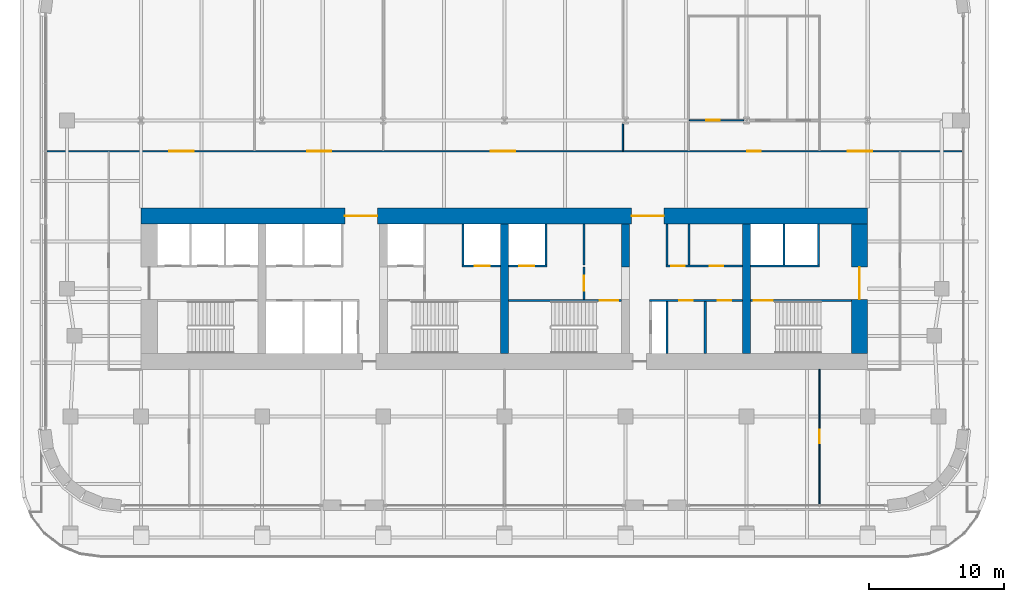
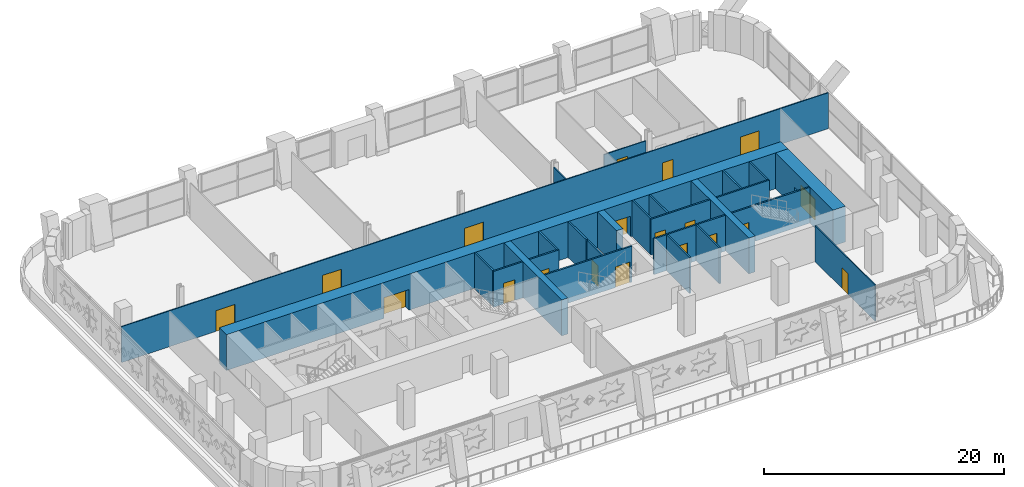
# One storey, part 16 of 26: 26 walls, 19 doors, 19 openings.
"""IFC4 building model written with IfcOpenShell, lengths in metres."""

import ifcopenshell
import ifcopenshell.guid

model = None  # the IFC model being written
_history = None  # IfcOwnerHistory: only IFC2X3 demands one
_inside = {}  # id of a spatial element -> (the spatial element, [elements in it])
_under = {}  # id of a project, library or spatial element -> (it, [spatial elements below it])
_declared = {}  # id of a project -> (the project, [libraries it declares])
_typed = {}  # id of a type object -> (the type object, [elements of that type])
_made_of = {}  # id of a material, layer set ... -> (it, [elements and type objects made of it])


def new_model(schema):
    """Start an empty IFC model of exactly this schema.

    Asked for "IFC4X3", IfcOpenShell would pick the latest addendum, in which some entities
    have other attributes; the version numbers below select the first issue.
    IFC2X3 requires an IfcOwnerHistory on every rooted entity: one is made here for all.
    """
    global model, _history
    if schema == "IFC4X3":
        model = ifcopenshell.file(schema_version=(4, 3, 0, 0))
    else:
        model = ifcopenshell.file(schema=schema)
    _inside.clear()
    _under.clear()
    _declared.clear()
    _typed.clear()
    _made_of.clear()
    _history = None
    if model.schema == "IFC2X3":
        org = make("IfcOrganization", Name="unknown")
        user = make(
            "IfcPersonAndOrganization",
            ThePerson=make("IfcPerson", FamilyName="unknown"),
            TheOrganization=org,
        )
        app = make(
            "IfcApplication",
            ApplicationDeveloper=org,
            Version="unknown",
            ApplicationFullName="unknown",
            ApplicationIdentifier="unknown",
        )
        _history = make(
            "IfcOwnerHistory",
            OwningUser=user,
            OwningApplication=app,
            ChangeAction="ADDED",
            CreationDate=0,
        )
    return model


def make(cls, **values):
    """One entity of the class cls with the attributes given. An attribute that is None is left unset."""
    return model.create_entity(
        cls, **{name: value for name, value in values.items() if value is not None}
    )


def rooted(cls, **values):
    """An entity with a GlobalId (a new one), such as an element, a storey or a relation."""
    return make(cls, GlobalId=ifcopenshell.guid.new(), OwnerHistory=_history, **values)


def si_unit(unit_type, name, prefix=None):
    """IfcSIUnit, for example si_unit("LENGTHUNIT", "METRE", prefix="MILLI")."""
    return make("IfcSIUnit", UnitType=unit_type, Prefix=prefix, Name=name)


def assignment(units):
    """IfcUnitAssignment: the units of a project."""
    return None if units is None else make("IfcUnitAssignment", Units=units)


def point(xyz):
    """IfcCartesianPoint."""
    return None if xyz is None else make("IfcCartesianPoint", Coordinates=xyz)


def direction(xyz):
    """IfcDirection."""
    return None if xyz is None else make("IfcDirection", DirectionRatios=xyz)


def frame(location, z_axis=None, x_axis=None):
    """IfcAxis2Placement3D, a coordinate frame: its origin and axes. An axis left out is left unset."""
    return make(
        "IfcAxis2Placement3D",
        Location=point(location),
        Axis=direction(z_axis),
        RefDirection=direction(x_axis),
    )


def frame_2d(location, x_axis=None):
    """IfcAxis2Placement2D, a coordinate frame in the plane: its origin and x axis."""
    return make(
        "IfcAxis2Placement2D", Location=point(location), RefDirection=direction(x_axis)
    )


def origin():
    """The frame at (0, 0, 0) with its axes left unset."""
    return frame((0.0, 0.0, 0.0))


def place(relative_to, where):
    """IfcLocalPlacement: puts the frame where relative to a parent placement (None: the world)."""
    return make(
        "IfcLocalPlacement", PlacementRelTo=relative_to, RelativePlacement=where
    )


def context(
    kind, dimensions, precision=None, world=None, true_north=None, identifier=None
):
    """IfcGeometricRepresentationContext, for example the 3D "Model" context."""
    return make(
        "IfcGeometricRepresentationContext",
        ContextIdentifier=identifier,
        ContextType=kind,
        CoordinateSpaceDimension=dimensions,
        Precision=precision,
        WorldCoordinateSystem=world,
        TrueNorth=true_north,
    )


def subcontext(parent, identifier, kind, view, scale=None):
    """IfcGeometricRepresentationSubContext, for example "Body" below "Model"."""
    return make(
        "IfcGeometricRepresentationSubContext",
        ContextIdentifier=identifier,
        ContextType=kind,
        ParentContext=parent,
        TargetScale=scale,
        TargetView=view,
    )


def project(units=None, contexts=None):
    """IfcProject with its units and contexts."""
    return rooted(
        "IfcProject",
        Name="project",
        RepresentationContexts=contexts,
        UnitsInContext=assignment(units),
    )


def spatial(cls, under=None, at=None, **own):
    """A site, building, storey or space (cls), placed at a placement, below another one or the project."""
    s = rooted(cls, ObjectPlacement=at, **own)
    if under is not None:
        _under.setdefault(under.id(), (under, []))[1].append(s)
    return s


def profile(cls, at=None, kind="AREA", **sizes):
    """A parametric profile (cls). Its sizes go by their IFC names, for example OverallWidth=200.0."""
    return make(cls, ProfileType=kind, Position=at, **sizes)


def rectangle(**sizes):
    """IfcRectangleProfileDef."""
    return profile("IfcRectangleProfileDef", **sizes)


def extrude(swept, where, along, depth):
    """IfcExtrudedAreaSolid: the profile swept, set in the frame where, extruded along a direction by depth."""
    return make(
        "IfcExtrudedAreaSolid",
        SweptArea=swept,
        Position=where,
        ExtrudedDirection=direction(along),
        Depth=depth,
    )


def shape(context_of_items, identifier, shape_type, items):
    """IfcShapeRepresentation: the items that make up one representation, for example the "Body"."""
    return make(
        "IfcShapeRepresentation",
        ContextOfItems=context_of_items,
        RepresentationIdentifier=identifier,
        RepresentationType=shape_type,
        Items=items,
    )


def material(Name=None, Category=None):
    """IfcMaterial."""
    return make("IfcMaterial", Name=Name, Category=Category)


def layer(
    of_material, thickness, ventilated=None, Name=None, Category=None, Priority=None
):
    """IfcMaterialLayer: one layer of a wall or slab, of a material (None: an air gap)."""
    return make(
        "IfcMaterialLayer",
        Material=of_material,
        LayerThickness=thickness,
        IsVentilated=ventilated,
        Name=Name,
        Category=Category,
        Priority=Priority,
    )


def layer_set(layers, Name=None):
    """IfcMaterialLayerSet."""
    return make("IfcMaterialLayerSet", MaterialLayers=layers, LayerSetName=Name)


def made_of(thing, what):
    """Note that an element or type object is made of a material, layer set ...; save() writes the relation."""
    if what is not None:
        _made_of.setdefault(what.id(), (what, []))[1].append(thing)
    return thing


def type_object(cls, material=None, **own):
    """A type object (cls), such as IfcWallType, which elements share."""
    return made_of(rooted(cls, **own), material)


def element(
    cls,
    number,
    at=None,
    inside=None,
    cuts=None,
    type_object=None,
    material=None,
    context=None,
    identifier="Body",
    shape_type=None,
    held_by="IfcProductDefinitionShape",
    body=None,
    shapes=None,
    **own,
):
    """One element of the class cls, such as IfcWall. Its Tag is "e" and its number.

    at: its placement. inside: the storey or other place that contains it. cuts: it is an
    opening in that element (IfcRelVoidsElement). A single representation is given by context,
    identifier, shape_type and body (its items); several are given by shapes. held_by: the class
    of the entity that holds the representations. save() writes the other relations.
    """
    e = rooted(cls, Tag="e%d" % number, ObjectPlacement=at, **own)
    if body is not None:
        shapes = [shape(context, identifier, shape_type, body)]
    if shapes is not None:
        e.Representation = make(held_by, Representations=shapes)
    if inside is not None:
        _inside.setdefault(inside.id(), (inside, []))[1].append(e)
    if cuts is not None:
        rooted(
            "IfcRelVoidsElement", RelatingBuildingElement=cuts, RelatedOpeningElement=e
        )
    if type_object is not None:
        _typed.setdefault(type_object.id(), (type_object, []))[1].append(e)
    return made_of(e, material)


def fill(opening, filler):
    """IfcRelFillsElement: the door or window that sits in an opening."""
    return rooted(
        "IfcRelFillsElement",
        RelatingOpeningElement=opening,
        RelatedBuildingElement=filler,
    )


def aggregate(whole, parts):
    """IfcRelAggregates: a whole, such as a stair, and the parts it consists of."""
    return rooted("IfcRelAggregates", RelatingObject=whole, RelatedObjects=parts)


def save(model, path):
    """Write the relations noted so far, then the file.

    IfcRelAggregates (storeys below a building ...), IfcRelContainedInSpatialStructure (elements
    in a storey), IfcRelDefinesByType, IfcRelAssociatesMaterial and IfcRelDeclares: one each for
    every whole, place, type object, material and project.
    """
    for whole, parts in _under.values():
        aggregate(whole, parts)
    for where, things in _inside.values():
        rooted(
            "IfcRelContainedInSpatialStructure",
            RelatedElements=things,
            RelatingStructure=where,
        )
    for kind, things in _typed.values():
        rooted("IfcRelDefinesByType", RelatedObjects=things, RelatingType=kind)
    for what, things in _made_of.values():
        rooted("IfcRelAssociatesMaterial", RelatedObjects=things, RelatingMaterial=what)
    for by, libraries in _declared.values():
        rooted("IfcRelDeclares", RelatingContext=by, RelatedDefinitions=libraries)
    model.write(path)


model = new_model("IFC4")

# Units and contexts
model_context = context("Model", 3, precision=1e-05, world=origin(), true_north=direction((0.0, 1.0)))
body_context = subcontext(model_context, "Body", "Model", "MODEL_VIEW")
ifc_project = project(units=[si_unit("LENGTHUNIT", "METRE"), si_unit("AREAUNIT", "SQUARE_METRE"), si_unit("VOLUMEUNIT", "CUBIC_METRE"), si_unit("PLANEANGLEUNIT", "RADIAN"), si_unit("MASSUNIT", "GRAM", prefix="KILO")], contexts=[model_context])

# Site, building, storey
site_placement = place(None, origin())
site = spatial("IfcSite", under=ifc_project, at=site_placement, CompositionType="ELEMENT")
building_placement = place(site_placement, origin())
building = spatial("IfcBuilding", under=site, at=building_placement, Name="Zellij Exchange Tower", CompositionType="ELEMENT")
storey_placement = place(building_placement, frame((0.0, 0.0, 100.5)))
storey = spatial("IfcBuildingStorey", under=building, at=storey_placement, Name="L21", CompositionType="ELEMENT", Elevation=100.5)

# Walls
ifc_material_1 = material(Name="Concrete C70/85", Category="concrete")
ifc_layer_1 = layer(ifc_material_1, 0.60009765625)
ifc_layer_set_1 = layer_set([ifc_layer_1], Name="Concrete C70/85")
wall_type_1 = type_object("IfcWallType", Name="CORE-CW 600 C70/85", PredefinedType="SHEAR", material=ifc_layer_set_1)
wall_1_placement = place(storey_placement, frame((0.0, -12.800048828125, 0.0), z_axis=(0.0, 0.0, 1.0), x_axis=(0.0, 1.0, 0.0)))
element("IfcWall", 1, at=wall_1_placement, inside=storey, type_object=wall_type_1, Name="Core cross wall x 0 L21", PredefinedType="SHEAR", context=body_context, shape_type="SweptSolid", body=[
    extrude(rectangle(XDim=9.60009765625, YDim=0.60009765625, at=frame_2d((4.800048828125, 0.0))), origin(), (0.0, 0.0, 1.0), 3.64990234375),
])
wall_2_placement = place(storey_placement, frame((9.0, -6.375, 0.0), z_axis=(0.0, 0.0, 1.0), x_axis=(0.0, 1.0, 0.0)))
element("IfcWall", 2, at=wall_2_placement, inside=storey, type_object=wall_type_1, Name="Core cross wall pier x 9 b L21", PredefinedType="SHEAR", context=body_context, shape_type="SweptSolid", body=[
    extrude(rectangle(XDim=3.175048828125, YDim=0.60009765625, at=frame_2d((1.58740234375, 0.0))), origin(), (0.0, 0.0, 1.0), 3.64990234375),
])
wall_3_placement = place(storey_placement, frame((18.0, -12.800048828125, 0.0), z_axis=(0.0, 0.0, 1.0), x_axis=(0.0, 1.0, 0.0)))
element("IfcWall", 3, at=wall_3_placement, inside=storey, type_object=wall_type_1, Name="Core cross wall x 18 L21", PredefinedType="SHEAR", context=body_context, shape_type="SweptSolid", body=[
    extrude(rectangle(XDim=9.60009765625, YDim=0.60009765625, at=frame_2d((4.800048828125, 0.0))), origin(), (0.0, 0.0, 1.0), 3.64990234375),
])

# Wall, opening, door
ifc_material_2 = material(Name="Gypsum shaft wall system")
ifc_layer_2 = layer(ifc_material_2, 0.14990234375)
ifc_layer_set_2 = layer_set([ifc_layer_2], Name="Gypsum shaft wall system")
wall_type_2 = type_object("IfcWallType", Name="CORE-PW 150 Firefighting lobby wall", PredefinedType="PARTITIONING", material=ifc_layer_set_2)
wall_4_placement = place(storey_placement, frame((5.925048828125, -8.800048828125, 0.0), z_axis=(0.0, 0.0, 1.0), x_axis=(0.0, 1.0, 0.0)))
wall_4 = element("IfcWall", 4, at=wall_4_placement, inside=storey, type_object=wall_type_2, Name="Firefighting lobby wall L21", PredefinedType="PARTITIONING", context=body_context, shape_type="SweptSolid", body=[
    extrude(rectangle(XDim=2.425048828125, YDim=0.14990234375, at=frame_2d((1.21240234375, 0.0))), origin(), (0.0, 0.0, 1.0), 3.64990234375),
])
opening_1_placement = place(wall_4_placement, frame((0.662109375, 0.0, 0.0)))
opening_1 = element("IfcOpeningElement", 5, at=opening_1_placement, cuts=wall_4, Name="Opening CA-11.18", PredefinedType="OPENING", context=body_context, shape_type="SweptSolid", body=[
    extrude(rectangle(XDim=1.10009765625, YDim=2.10009765625, at=frame_2d((0.550048828125, 1.050048828125))), frame((0.0, 0.0869140625, 0.0), z_axis=(0.0, -1.0, 0.0), x_axis=(1.0, 0.0, 0.0)), (0.0, 0.0, 1.0), 0.173828125),
])
ifc_material_3 = material(Name="Hollow metal fire door")
door_type_1 = type_object("IfcDoorType", Name="CORE-D F Firefighting lobby door 1100x2100 1 HR", OperationType="NOTDEFINED", PredefinedType="DOOR", material=ifc_material_3)
door_1_placement = place(opening_1_placement, origin())
door_1 = element("IfcDoor", 6, at=door_1_placement, inside=storey, type_object=door_type_1, Name="Firefighting lobby door CA-11.18", OperationType="SINGLE_SWING_RIGHT", OverallHeight=2.10009765625, OverallWidth=1.10009765625, PredefinedType="DOOR", context=body_context, shape_type="SweptSolid", body=[
    extrude(rectangle(XDim=1.10009765625, YDim=2.10009765625, at=frame_2d((0.550048828125, 1.050048828125))), frame((0.0, 0.02490234375, 0.0), z_axis=(0.0, -1.0, 0.0), x_axis=(1.0, 0.0, 0.0)), (0.0, 0.0, 1.0), 0.050048828125),
])
fill(opening_1, door_1)

# Walls
ifc_material_4 = material(Name="Gypsum board partition")
ifc_layer_3 = layer(ifc_material_4, 0.14990234375)
ifc_layer_set_3 = layer_set([ifc_layer_3], Name="Gypsum board partition")
wall_type_3 = type_object("IfcWallType", Name="CORE-PW 150 Lift lobby wall", PredefinedType="PARTITIONING", material=ifc_layer_set_3)
for number, where, z_axis, x_axis, name in (
    (7, (5.925048828125, -6.22509765625, 0.0), (0.0, 0.0, 1.0), (0.0, 1.0, 0.0), "Lift lobby wall L21"),
    (8, (12.074951171875, -6.22509765625, 0.0), (0.0, 0.0, 1.0), (0.0, 1.0, 0.0), "Lift lobby wall L21"),
    (9, (13.72509765625, -6.22509765625, 0.0), (0.0, 0.0, 1.0), (0.0, 1.0, 0.0), "Lift lobby wall L21"),
):
    element("IfcWall", number, at=place(storey_placement, frame(where, z_axis=z_axis, x_axis=x_axis)), inside=storey, type_object=wall_type_3, Name=name, PredefinedType="PARTITIONING", context=body_context, shape_type="SweptSolid", body=[
        extrude(rectangle(XDim=3.025146484375, YDim=0.14990234375, at=frame_2d((1.5126953125, 0.0))), origin(), (0.0, 0.0, 1.0), 3.64990234375),
    ])
for number, where, z_axis, x_axis, name in (
    (10, (12.074951171875, -12.800048828125, 0.0), (0.0, 0.0, 1.0), (0.0, 1.0, 0.0), "Lift lobby wall L21"),
    (11, (14.925048828125, -12.800048828125, 0.0), (0.0, 0.0, 1.0), (0.0, 1.0, 0.0), "Lift lobby wall L21"),
):
    element("IfcWall", number, at=place(storey_placement, frame(where, z_axis=z_axis, x_axis=x_axis)), inside=storey, type_object=wall_type_3, Name=name, PredefinedType="PARTITIONING", context=body_context, shape_type="SweptSolid", body=[
        extrude(rectangle(XDim=3.85009765625, YDim=0.14990234375, at=frame_2d((1.925048828125, 0.0))), origin(), (0.0, 0.0, 1.0), 3.64990234375),
    ])

# Wall, openings, doors
wall_5_placement = place(storey_placement, frame((12.0, -6.300048828125, 0.0), z_axis=(0.0, 0.0, 1.0), x_axis=(1.0, 0.0, 0.0)))
wall_5 = element("IfcWall", 12, at=wall_5_placement, inside=storey, type_object=wall_type_3, Name="Lift lobby wall L21", PredefinedType="PARTITIONING", context=body_context, shape_type="SweptSolid", body=[
    extrude(rectangle(XDim=5.699951171875, YDim=0.14990234375, at=frame_2d((2.85009765625, 0.0))), origin(), (0.0, 0.0, 1.0), 3.64990234375),
])
opening_2_placement = place(wall_5_placement, frame((0.39990234375, 0.0, 0.0)))
opening_2 = element("IfcOpeningElement", 13, at=opening_2_placement, cuts=wall_5, Name="Opening CA-11.23", PredefinedType="OPENING", context=body_context, shape_type="SweptSolid", body=[
    extrude(rectangle(XDim=1.0, YDim=2.10009765625, at=frame_2d((0.5, 1.050048828125))), frame((0.0, 0.0869140625, 0.0), z_axis=(0.0, -1.0, 0.0), x_axis=(1.0, 0.0, 0.0)), (0.0, 0.0, 1.0), 0.173828125),
])
opening_3_placement = place(wall_5_placement, frame((3.25, 0.0, 0.0)))
opening_3 = element("IfcOpeningElement", 14, at=opening_3_placement, cuts=wall_5, Name="Opening CA-11.25", PredefinedType="OPENING", context=body_context, shape_type="SweptSolid", body=[
    extrude(rectangle(XDim=1.0, YDim=2.10009765625, at=frame_2d((0.5, 1.050048828125))), frame((0.0, 0.0869140625, 0.0), z_axis=(0.0, -1.0, 0.0), x_axis=(1.0, 0.0, 0.0)), (0.0, 0.0, 1.0), 0.173828125),
])
door_type_2 = type_object("IfcDoorType", Name="CORE-D CD Core room door 1000x2100 1 HR", OperationType="NOTDEFINED", PredefinedType="DOOR", material=ifc_material_3)
door_2_placement = place(opening_2_placement, origin())
door_2 = element("IfcDoor", 15, at=door_2_placement, inside=storey, type_object=door_type_2, Name="Core room door CA-11.23", OperationType="SINGLE_SWING_LEFT", OverallHeight=2.10009765625, OverallWidth=1.0, PredefinedType="DOOR", context=body_context, shape_type="SweptSolid", body=[
    extrude(rectangle(XDim=1.0, YDim=2.10009765625, at=frame_2d((0.5, 1.050048828125))), frame((0.0, 0.02490234375, 0.0), z_axis=(0.0, -1.0, 0.0), x_axis=(1.0, 0.0, 0.0)), (0.0, 0.0, 1.0), 0.050048828125),
])
fill(opening_2, door_2)
door_3_placement = place(opening_3_placement, origin())
door_3 = element("IfcDoor", 16, at=door_3_placement, inside=storey, type_object=door_type_2, Name="Core room door CA-11.25", OperationType="SINGLE_SWING_RIGHT", OverallHeight=2.10009765625, OverallWidth=1.0, PredefinedType="DOOR", context=body_context, shape_type="SweptSolid", body=[
    extrude(rectangle(XDim=1.0, YDim=2.10009765625, at=frame_2d((0.5, 1.050048828125))), frame((0.0, 0.02490234375, 0.0), z_axis=(0.0, -1.0, 0.0), x_axis=(1.0, 0.0, 0.0)), (0.0, 0.0, 1.0), 0.050048828125),
])
fill(opening_3, door_3)

wall_6_placement = place(storey_placement, frame((10.800048828125, -8.875, 0.0), z_axis=(0.0, 0.0, 1.0), x_axis=(1.0, 0.0, 0.0)))
wall_6 = element("IfcWall", 17, at=wall_6_placement, inside=storey, type_object=wall_type_3, Name="Lift lobby wall L21", PredefinedType="PARTITIONING", context=body_context, shape_type="SweptSolid", body=[
    extrude(rectangle(XDim=6.89990234375, YDim=0.14990234375, at=frame_2d((3.449951171875, 0.0))), origin(), (0.0, 0.0, 1.0), 3.64990234375),
])
opening_4_placement = place(wall_6_placement, frame((2.199951171875, 0.0, 0.0)))
opening_4 = element("IfcOpeningElement", 18, at=opening_4_placement, cuts=wall_6, Name="Opening CA-11.24", PredefinedType="OPENING", context=body_context, shape_type="SweptSolid", body=[
    extrude(rectangle(XDim=1.0, YDim=2.10009765625, at=frame_2d((0.5, 1.050048828125))), frame((0.0, 0.0869140625, 0.0), z_axis=(0.0, -1.0, 0.0), x_axis=(1.0, 0.0, 0.0)), (0.0, 0.0, 1.0), 0.173828125),
])
opening_5_placement = place(wall_6_placement, frame((5.050048828125, 0.0, 0.0)))
opening_5 = element("IfcOpeningElement", 19, at=opening_5_placement, cuts=wall_6, Name="Opening CA-11.26", PredefinedType="OPENING", context=body_context, shape_type="SweptSolid", body=[
    extrude(rectangle(XDim=1.0, YDim=2.10009765625, at=frame_2d((0.5, 1.050048828125))), frame((0.0, 0.0869140625, 0.0), z_axis=(0.0, -1.0, 0.0), x_axis=(1.0, 0.0, 0.0)), (0.0, 0.0, 1.0), 0.173828125),
])
door_4_placement = place(opening_5_placement, origin())
door_4 = element("IfcDoor", 20, at=door_4_placement, inside=storey, type_object=door_type_2, Name="Core room door CA-11.26", OperationType="SINGLE_SWING_LEFT", OverallHeight=2.10009765625, OverallWidth=1.0, PredefinedType="DOOR", context=body_context, shape_type="SweptSolid", body=[
    extrude(rectangle(XDim=1.0, YDim=2.10009765625, at=frame_2d((0.5, 1.050048828125))), frame((0.0, 0.02490234375, 0.0), z_axis=(0.0, -1.0, 0.0), x_axis=(1.0, 0.0, 0.0)), (0.0, 0.0, 1.0), 0.050048828125),
])
fill(opening_5, door_4)
door_type_3 = type_object("IfcDoorType", Name="CORE-D CDA Core room door 1000x2100 1.5 HR", OperationType="NOTDEFINED", PredefinedType="DOOR", material=ifc_material_3)
door_5_placement = place(opening_4_placement, origin())
door_5 = element("IfcDoor", 21, at=door_5_placement, inside=storey, type_object=door_type_3, Name="Core room door CA-11.24", OperationType="SINGLE_SWING_RIGHT", OverallHeight=2.10009765625, OverallWidth=1.0, PredefinedType="DOOR", context=body_context, shape_type="SweptSolid", body=[
    extrude(rectangle(XDim=1.0, YDim=2.10009765625, at=frame_2d((0.5, 1.050048828125))), frame((0.0, 0.02490234375, 0.0), z_axis=(0.0, -1.0, 0.0), x_axis=(1.0, 0.0, 0.0)), (0.0, 0.0, 1.0), 0.050048828125),
])
fill(opening_4, door_5)

# Walls
ifc_layer_4 = layer(ifc_material_2, 0.14990234375)
ifc_layer_set_4 = layer_set([ifc_layer_4], Name="Gypsum shaft wall system")
wall_type_4 = type_object("IfcWallType", Name="CORE-PW 150 Lift shaft wall", PredefinedType="PARTITIONING", material=ifc_layer_set_4)
for number, where, z_axis, x_axis, name in (
    (22, (-3.074951171875, -6.22509765625, 0.0), (0.0, 0.0, 1.0), (0.0, 1.0, 0.0), "Lift shaft wall L21"),
    (23, (3.074951171875, -6.22509765625, 0.0), (0.0, 0.0, 1.0), (0.0, 1.0, 0.0), "Lift shaft wall L21"),
    (24, (20.77490234375, -6.22509765625, 0.0), (0.0, 0.0, 1.0), (0.0, 1.0, 0.0), "Lift shaft wall L21"),
    (25, (23.324951171875, -6.22509765625, 0.0), (0.0, 0.0, 1.0), (0.0, 1.0, 0.0), "Lift shaft wall L21"),
):
    element("IfcWall", number, at=place(storey_placement, frame(where, z_axis=z_axis, x_axis=x_axis)), inside=storey, type_object=wall_type_4, Name=name, PredefinedType="PARTITIONING", context=body_context, shape_type="SweptSolid", body=[
        extrude(rectangle(XDim=3.025146484375, YDim=0.14990234375, at=frame_2d((1.5126953125, 0.0))), origin(), (0.0, 0.0, 1.0), 3.64990234375),
    ])

# Wall, opening, door
wall_7_placement = place(storey_placement, frame((-3.14990234375, -6.300048828125, 0.0), z_axis=(0.0, 0.0, 1.0), x_axis=(1.0, 0.0, 0.0)))
wall_7 = element("IfcWall", 26, at=wall_7_placement, inside=storey, type_object=wall_type_4, Name="Lift shaft wall L21", PredefinedType="PARTITIONING", context=body_context, shape_type="SweptSolid", body=[
    extrude(rectangle(XDim=2.849853515625, YDim=0.14990234375, at=frame_2d((1.4248046875, 0.0))), origin(), (0.0, 0.0, 1.0), 3.64990234375),
])
opening_6_placement = place(wall_7_placement, frame((0.949951171875, 0.0, 0.0)))
opening_6 = element("IfcOpeningElement", 27, at=opening_6_placement, cuts=wall_7, Name="Opening CA-11.16", PredefinedType="OPENING", context=body_context, shape_type="SweptSolid", body=[
    extrude(rectangle(XDim=1.10009765625, YDim=2.10009765625, at=frame_2d((0.550048828125, 1.050048828125))), frame((0.0, 0.0869140625, 0.0), z_axis=(0.0, -1.0, 0.0), x_axis=(1.0, 0.0, 0.0)), (0.0, 0.0, 1.0), 0.173828125),
])
door_type_4 = type_object("IfcDoorType", Name="CORE-D LD Lift landing door 1100x2100 1.5 HR", OperationType="NOTDEFINED", PredefinedType="DOOR", material=ifc_material_3)
door_6_placement = place(opening_6_placement, origin())
door_6 = element("IfcDoor", 28, at=door_6_placement, inside=storey, type_object=door_type_4, Name="Lift landing door CA-11.16", OperationType="SLIDING_TO_RIGHT", OverallHeight=2.10009765625, OverallWidth=1.10009765625, PredefinedType="DOOR", context=body_context, shape_type="SweptSolid", body=[
    extrude(rectangle(XDim=1.10009765625, YDim=2.10009765625, at=frame_2d((0.550048828125, 1.050048828125))), frame((0.0, 0.02490234375, 0.0), z_axis=(0.0, -1.0, 0.0), x_axis=(1.0, 0.0, 0.0)), (0.0, 0.0, 1.0), 0.050048828125),
])
fill(opening_6, door_6)

wall_8_placement = place(storey_placement, frame((0.300048828125, -6.300048828125, 0.0), z_axis=(0.0, 0.0, 1.0), x_axis=(1.0, 0.0, 0.0)))
wall_8 = element("IfcWall", 29, at=wall_8_placement, inside=storey, type_object=wall_type_4, Name="Lift shaft wall L21", PredefinedType="PARTITIONING", context=body_context, shape_type="SweptSolid", body=[
    extrude(rectangle(XDim=2.849853515625, YDim=0.14990234375, at=frame_2d((1.4248046875, 0.0))), origin(), (0.0, 0.0, 1.0), 3.64990234375),
])
opening_7_placement = place(wall_8_placement, frame((0.800048828125, 0.0, 0.0)))
opening_7 = element("IfcOpeningElement", 30, at=opening_7_placement, cuts=wall_8, Name="Opening CA-11.17", PredefinedType="OPENING", context=body_context, shape_type="SweptSolid", body=[
    extrude(rectangle(XDim=1.10009765625, YDim=2.10009765625, at=frame_2d((0.550048828125, 1.050048828125))), frame((0.0, 0.0869140625, 0.0), z_axis=(0.0, -1.0, 0.0), x_axis=(1.0, 0.0, 0.0)), (0.0, 0.0, 1.0), 0.173828125),
])
door_7_placement = place(opening_7_placement, origin())
door_7 = element("IfcDoor", 31, at=door_7_placement, inside=storey, type_object=door_type_4, Name="Lift landing door CA-11.17", OperationType="SLIDING_TO_LEFT", OverallHeight=2.10009765625, OverallWidth=1.10009765625, PredefinedType="DOOR", context=body_context, shape_type="SweptSolid", body=[
    extrude(rectangle(XDim=1.10009765625, YDim=2.10009765625, at=frame_2d((0.550048828125, 1.050048828125))), frame((0.0, 0.02490234375, 0.0), z_axis=(0.0, -1.0, 0.0), x_axis=(1.0, 0.0, 0.0)), (0.0, 0.0, 1.0), 0.050048828125),
])
fill(opening_7, door_7)

# Wall
wall_9_placement = place(storey_placement, frame((18.300048828125, -6.300048828125, 0.0), z_axis=(0.0, 0.0, 1.0), x_axis=(1.0, 0.0, 0.0)))
element("IfcWall", 32, at=wall_9_placement, inside=storey, type_object=wall_type_4, Name="Lift shaft wall L21", PredefinedType="PARTITIONING", context=body_context, shape_type="SweptSolid", body=[
    extrude(rectangle(XDim=5.099853515625, YDim=0.14990234375, at=frame_2d((2.5498046875, 0.0))), origin(), (0.0, 0.0, 1.0), 3.64990234375),
])

# Wall, openings, doors
ifc_layer_5 = layer(ifc_material_1, 1.199951171875)
ifc_layer_set_5 = layer_set([ifc_layer_5], Name="Concrete C70/85")
wall_type_5 = type_object("IfcWallType", Name="CORE-SW 1200 C70/85", PredefinedType="SHEAR", material=ifc_layer_set_5)
wall_10_placement = place(storey_placement, frame((-27.0, -2.60009765625, 0.0), z_axis=(0.0, 0.0, 1.0), x_axis=(1.0, 0.0, 0.0)))
wall_10 = element("IfcWall", 33, at=wall_10_placement, inside=storey, type_object=wall_type_5, Name="Core shear wall front L21", PredefinedType="SHEAR", context=body_context, shape_type="SweptSolid", body=[
    extrude(rectangle(XDim=54.0, YDim=1.199951171875, at=frame_2d((27.0, 0.0))), origin(), (0.0, 0.0, 1.0), 3.64990234375),
])
opening_8_placement = place(wall_10_placement, frame((15.14990234375, 0.0, 0.0)))
opening_8 = element("IfcOpeningElement", 34, at=opening_8_placement, cuts=wall_10, Name="Opening CA-11.11", PredefinedType="OPENING", context=body_context, shape_type="SweptSolid", body=[
    extrude(rectangle(XDim=2.39990234375, YDim=2.10009765625, at=frame_2d((1.199951171875, 1.050048828125))), frame((0.0, 0.61181640625, 0.0), z_axis=(0.0, -1.0, 0.0), x_axis=(1.0, 0.0, 0.0)), (0.0, 0.0, 1.0), 1.223876953125),
])
opening_9_placement = place(wall_10_placement, frame((36.449951171875, 0.0, 0.0)))
opening_9 = element("IfcOpeningElement", 35, at=opening_9_placement, cuts=wall_10, Name="Opening CA-11.21", PredefinedType="OPENING", context=body_context, shape_type="SweptSolid", body=[
    extrude(rectangle(XDim=2.39990234375, YDim=2.10009765625, at=frame_2d((1.199951171875, 1.050048828125))), frame((0.0, 0.61181640625, 0.0), z_axis=(0.0, -1.0, 0.0), x_axis=(1.0, 0.0, 0.0)), (0.0, 0.0, 1.0), 1.223876953125),
])
door_type_5 = type_object("IfcDoorType", Name="CORE-D CE Core entrance door 2400x2100 20 MIN", OperationType="NOTDEFINED", PredefinedType="DOOR", material=ifc_material_3)
door_8_placement = place(opening_8_placement, origin())
door_8 = element("IfcDoor", 36, at=door_8_placement, inside=storey, type_object=door_type_5, Name="Core entrance door CA-11.11", OperationType="DOUBLE_DOOR_SINGLE_SWING", OverallHeight=2.10009765625, OverallWidth=2.39990234375, PredefinedType="DOOR", context=body_context, shape_type="SweptSolid", body=[
    extrude(rectangle(XDim=2.39990234375, YDim=2.10009765625, at=frame_2d((1.199951171875, 1.050048828125))), frame((0.0, 0.02490234375, 0.0), z_axis=(0.0, -1.0, 0.0), x_axis=(1.0, 0.0, 0.0)), (0.0, 0.0, 1.0), 0.050048828125),
])
fill(opening_8, door_8)
door_9_placement = place(opening_9_placement, origin())
door_9 = element("IfcDoor", 37, at=door_9_placement, inside=storey, type_object=door_type_5, Name="Core entrance door CA-11.21", OperationType="DOUBLE_DOOR_SINGLE_SWING", OverallHeight=2.10009765625, OverallWidth=2.39990234375, PredefinedType="DOOR", context=body_context, shape_type="SweptSolid", body=[
    extrude(rectangle(XDim=2.39990234375, YDim=2.10009765625, at=frame_2d((1.199951171875, 1.050048828125))), frame((0.0, 0.02490234375, 0.0), z_axis=(0.0, -1.0, 0.0), x_axis=(1.0, 0.0, 0.0)), (0.0, 0.0, 1.0), 0.050048828125),
])
fill(opening_9, door_9)

# Wall, opening, door
wall_11_placement = place(storey_placement, frame((26.39990234375, -12.800048828125, 0.0), z_axis=(0.0, 0.0, 1.0), x_axis=(0.0, 1.0, 0.0)))
wall_11 = element("IfcWall", 38, at=wall_11_placement, inside=storey, type_object=wall_type_5, Name="Core shear wall end e L21", PredefinedType="SHEAR", context=body_context, shape_type="SweptSolid", body=[
    extrude(rectangle(XDim=9.60009765625, YDim=1.199951171875, at=frame_2d((4.800048828125, 0.0))), origin(), (0.0, 0.0, 1.0), 3.64990234375),
])
opening_10_placement = place(wall_11_placement, frame((4.011962890625, 0.0, 0.0)))
opening_10 = element("IfcOpeningElement", 39, at=opening_10_placement, cuts=wall_11, Name="Opening CA-11.28", PredefinedType="OPENING", context=body_context, shape_type="SweptSolid", body=[
    extrude(rectangle(XDim=2.39990234375, YDim=2.10009765625, at=frame_2d((1.199951171875, 1.050048828125))), frame((0.0, 0.61181640625, 0.0), z_axis=(0.0, -1.0, 0.0), x_axis=(1.0, 0.0, 0.0)), (0.0, 0.0, 1.0), 1.223876953125),
])
door_10_placement = place(opening_10_placement, origin())
door_10 = element("IfcDoor", 40, at=door_10_placement, inside=storey, type_object=door_type_5, Name="Core entrance door CA-11.28", OperationType="DOUBLE_DOOR_SINGLE_SWING", OverallHeight=2.10009765625, OverallWidth=2.39990234375, PredefinedType="DOOR", context=body_context, shape_type="SweptSolid", body=[
    extrude(rectangle(XDim=2.39990234375, YDim=2.10009765625, at=frame_2d((1.199951171875, 1.050048828125))), frame((0.0, 0.02490234375, 0.0), z_axis=(0.0, -1.0, 0.0), x_axis=(1.0, 0.0, 0.0)), (0.0, 0.0, 1.0), 0.050048828125),
])
fill(opening_10, door_10)

ifc_layer_6 = layer(ifc_material_1, 0.14990234375)
ifc_layer_set_6 = layer_set([ifc_layer_6], Name="Concrete C70/85")
wall_type_6 = type_object("IfcWallType", Name="CORE-SWS 150 C70/85", PredefinedType="SHEAR", material=ifc_layer_set_6)
wall_12_placement = place(storey_placement, frame((0.300048828125, -8.875, 0.0), z_axis=(0.0, 0.0, 1.0), x_axis=(1.0, 0.0, 0.0)))
wall_12 = element("IfcWall", 41, at=wall_12_placement, inside=storey, type_object=wall_type_6, Name="Stair enclosure wall L21", PredefinedType="SHEAR", context=body_context, shape_type="SweptSolid", body=[
    extrude(rectangle(XDim=8.39990234375, YDim=0.14990234375, at=frame_2d((4.199951171875, 0.0))), origin(), (0.0, 0.0, 1.0), 3.64990234375),
])
opening_11_placement = place(wall_12_placement, frame((6.77490234375, 0.0, 0.0)))
opening_11 = element("IfcOpeningElement", 42, at=opening_11_placement, cuts=wall_12, Name="Opening CA-11.19", PredefinedType="OPENING", context=body_context, shape_type="SweptSolid", body=[
    extrude(rectangle(XDim=1.39990234375, YDim=2.10009765625, at=frame_2d((0.699951171875, 1.050048828125))), frame((0.0, 0.0869140625, 0.0), z_axis=(0.0, -1.0, 0.0), x_axis=(1.0, 0.0, 0.0)), (0.0, 0.0, 1.0), 0.173828125),
])
door_type_6 = type_object("IfcDoorType", Name="CORE-D SD Stair door 1400x2100 1.5 HR", OperationType="NOTDEFINED", PredefinedType="DOOR", material=ifc_material_3)
door_11_placement = place(opening_11_placement, origin())
door_11 = element("IfcDoor", 43, at=door_11_placement, inside=storey, type_object=door_type_6, Name="Stair door CA-11.19", OperationType="DOUBLE_DOOR_SINGLE_SWING", OverallHeight=2.10009765625, OverallWidth=1.39990234375, PredefinedType="DOOR", context=body_context, shape_type="SweptSolid", body=[
    extrude(rectangle(XDim=1.39990234375, YDim=2.10009765625, at=frame_2d((0.699951171875, 1.050048828125))), frame((0.0, 0.02490234375, 0.0), z_axis=(0.0, -1.0, 0.0), x_axis=(1.0, 0.0, 0.0)), (0.0, 0.0, 1.0), 0.050048828125),
])
fill(opening_11, door_11)

wall_13_placement = place(storey_placement, frame((18.300048828125, -8.875, 0.0), z_axis=(0.0, 0.0, 1.0), x_axis=(1.0, 0.0, 0.0)))
wall_13 = element("IfcWall", 44, at=wall_13_placement, inside=storey, type_object=wall_type_6, Name="Stair enclosure wall L21", PredefinedType="SHEAR", context=body_context, shape_type="SweptSolid", body=[
    extrude(rectangle(XDim=7.5, YDim=0.14990234375, at=frame_2d((3.75, 0.0))), origin(), (0.0, 0.0, 1.0), 3.64990234375),
])
opening_12_placement = place(wall_13_placement, frame((0.22509765625, 0.0, 0.0)))
opening_12 = element("IfcOpeningElement", 45, at=opening_12_placement, cuts=wall_13, Name="Opening CA-11.27", PredefinedType="OPENING", context=body_context, shape_type="SweptSolid", body=[
    extrude(rectangle(XDim=1.39990234375, YDim=2.10009765625, at=frame_2d((0.699951171875, 1.050048828125))), frame((0.0, 0.0869140625, 0.0), z_axis=(0.0, -1.0, 0.0), x_axis=(1.0, 0.0, 0.0)), (0.0, 0.0, 1.0), 0.173828125),
])
door_12_placement = place(opening_12_placement, origin())
door_12 = element("IfcDoor", 46, at=door_12_placement, inside=storey, type_object=door_type_6, Name="Stair door CA-11.27", OperationType="DOUBLE_DOOR_SINGLE_SWING", OverallHeight=2.10009765625, OverallWidth=1.39990234375, PredefinedType="DOOR", context=body_context, shape_type="SweptSolid", body=[
    extrude(rectangle(XDim=1.39990234375, YDim=2.10009765625, at=frame_2d((0.699951171875, 1.050048828125))), frame((0.0, 0.02490234375, 0.0), z_axis=(0.0, -1.0, 0.0), x_axis=(1.0, 0.0, 0.0)), (0.0, 0.0, 1.0), 0.050048828125),
])
fill(opening_12, door_12)

ifc_material_5 = material(Name="Gypsum board partition on steel studs", Category="steel")
ifc_layer_7 = layer(ifc_material_5, 0.10009765625)
ifc_layer_set_7 = layer_set([ifc_layer_7], Name="Gypsum board partition on steel studs")
wall_type_7 = type_object("IfcWallType", Name="FIT-PARTITION-100", PredefinedType="PARTITIONING", material=ifc_layer_set_7)
wall_14_placement = place(storey_placement, frame((23.419921875, -23.97998046875, 0.0), z_axis=(0.0, 0.0, 1.0), x_axis=(0.0, 1.0, 0.0)))
wall_14 = element("IfcWall", 47, at=wall_14_placement, inside=storey, type_object=wall_type_7, Name="FIT-PARTITION-100 004", PredefinedType="PARTITIONING", context=body_context, shape_type="SweptSolid", body=[
    extrude(rectangle(XDim=9.97998046875, YDim=0.10009765625, at=frame_2d((4.989990234375, 0.0))), origin(), (0.0, 0.0, 1.0), 3.64990234375),
])
opening_13_placement = place(wall_14_placement, frame((4.5, 0.0, 0.0)))
opening_13 = element("IfcOpeningElement", 48, at=opening_13_placement, cuts=wall_14, Name="Opening SL1.02", PredefinedType="OPENING", context=body_context, shape_type="SweptSolid", body=[
    extrude(rectangle(XDim=1.0, YDim=2.10009765625, at=frame_2d((0.5, 1.050048828125))), frame((0.0, 0.06201171875, 0.0), z_axis=(0.0, -1.0, 0.0), x_axis=(1.0, 0.0, 0.0)), (0.0, 0.0, 1.0), 0.1240234375),
])
ifc_material_6 = material(Name="Timber door set", Category="wood")
door_type_7 = type_object("IfcDoorType", Name="FIT-D2-WIDE-1000X2100", OperationType="SINGLE_SWING_LEFT", PredefinedType="DOOR", material=ifc_material_6)
door_13_placement = place(opening_13_placement, origin())
door_13 = element("IfcDoor", 49, at=door_13_placement, inside=storey, type_object=door_type_7, Name="Door SL1.02", OperationType="SINGLE_SWING_LEFT", OverallHeight=2.10009765625, OverallWidth=1.0, PredefinedType="DOOR", context=body_context, shape_type="SweptSolid", body=[
    extrude(rectangle(XDim=1.0, YDim=2.10009765625, at=frame_2d((0.5, 1.050048828125))), frame((0.0, 0.02490234375, 0.0), z_axis=(0.0, -1.0, 0.0), x_axis=(1.0, 0.0, 0.0)), (0.0, 0.0, 1.0), 0.050048828125),
])
fill(opening_13, door_13)

# Wall, openings, doors
wall_15_placement = place(storey_placement, frame((-33.97998046875, 2.219970703125, 0.0), z_axis=(0.0, 0.0, 1.0), x_axis=(1.0, 0.0, 0.0)))
wall_15 = element("IfcWall", 50, at=wall_15_placement, inside=storey, type_object=wall_type_7, Name="FIT-PARTITION-100 009", PredefinedType="PARTITIONING", context=body_context, shape_type="SweptSolid", body=[
    extrude(rectangle(XDim=67.97607421875, YDim=0.10009765625, at=frame_2d((33.988037109375, 0.0))), origin(), (0.0, 0.0, 1.0), 3.64990234375),
])
opening_14_placement = place(wall_15_placement, frame((9.080078125, 0.0, 0.0)))
opening_14 = element("IfcOpeningElement", 51, at=opening_14_placement, cuts=wall_15, Name="Opening SL1.05", PredefinedType="OPENING", context=body_context, shape_type="SweptSolid", body=[
    extrude(rectangle(XDim=1.800048828125, YDim=2.10009765625, at=frame_2d((0.89990234375, 1.050048828125))), frame((0.0, 0.06201171875, 0.0), z_axis=(0.0, -1.0, 0.0), x_axis=(1.0, 0.0, 0.0)), (0.0, 0.0, 1.0), 0.1240234375),
])
opening_15_placement = place(wall_15_placement, frame((19.320068359375, 0.0, 0.0)))
opening_15 = element("IfcOpeningElement", 52, at=opening_15_placement, cuts=wall_15, Name="Opening SL1.06", PredefinedType="OPENING", context=body_context, shape_type="SweptSolid", body=[
    extrude(rectangle(XDim=1.800048828125, YDim=2.10009765625, at=frame_2d((0.89990234375, 1.050048828125))), frame((0.0, 0.06201171875, 0.0), z_axis=(0.0, -1.0, 0.0), x_axis=(1.0, 0.0, 0.0)), (0.0, 0.0, 1.0), 0.1240234375),
])
opening_16_placement = place(wall_15_placement, frame((32.97998046875, 0.0, 0.0)))
opening_16 = element("IfcOpeningElement", 53, at=opening_16_placement, cuts=wall_15, Name="Opening SL1.07", PredefinedType="OPENING", context=body_context, shape_type="SweptSolid", body=[
    extrude(rectangle(XDim=1.800048828125, YDim=2.10009765625, at=frame_2d((0.89990234375, 1.050048828125))), frame((0.0, 0.06201171875, 0.0), z_axis=(0.0, -1.0, 0.0), x_axis=(1.0, 0.0, 0.0)), (0.0, 0.0, 1.0), 0.1240234375),
])
opening_17_placement = place(wall_15_placement, frame((52.030029296875, 0.0, 0.0)))
opening_17 = element("IfcOpeningElement", 54, at=opening_17_placement, cuts=wall_15, Name="Opening SL1.08", PredefinedType="OPENING", context=body_context, shape_type="SweptSolid", body=[
    extrude(rectangle(XDim=1.0, YDim=2.10009765625, at=frame_2d((0.5, 1.050048828125))), frame((0.0, 0.06201171875, 0.0), z_axis=(0.0, -1.0, 0.0), x_axis=(1.0, 0.0, 0.0)), (0.0, 0.0, 1.0), 0.1240234375),
])
opening_18_placement = place(wall_15_placement, frame((59.5, 0.0, 0.0)))
opening_18 = element("IfcOpeningElement", 55, at=opening_18_placement, cuts=wall_15, Name="Opening SL1.09", PredefinedType="OPENING", context=body_context, shape_type="SweptSolid", body=[
    extrude(rectangle(XDim=1.800048828125, YDim=2.10009765625, at=frame_2d((0.89990234375, 1.050048828125))), frame((0.0, 0.06201171875, 0.0), z_axis=(0.0, -1.0, 0.0), x_axis=(1.0, 0.0, 0.0)), (0.0, 0.0, 1.0), 0.1240234375),
])
door_14_placement = place(opening_17_placement, origin())
door_14 = element("IfcDoor", 56, at=door_14_placement, inside=storey, type_object=door_type_7, Name="Door SL1.08", OperationType="SINGLE_SWING_LEFT", OverallHeight=2.10009765625, OverallWidth=1.0, PredefinedType="DOOR", context=body_context, shape_type="SweptSolid", body=[
    extrude(rectangle(XDim=1.0, YDim=2.10009765625, at=frame_2d((0.5, 1.050048828125))), frame((0.0, 0.02490234375, 0.0), z_axis=(0.0, -1.0, 0.0), x_axis=(1.0, 0.0, 0.0)), (0.0, 0.0, 1.0), 0.050048828125),
])
fill(opening_17, door_14)
door_type_8 = type_object("IfcDoorType", Name="FIT-D3-DOUBLE-1800X2100", OperationType="DOUBLE_DOOR_SINGLE_SWING", PredefinedType="DOOR", material=ifc_material_6)
door_15_placement = place(opening_14_placement, origin())
door_15 = element("IfcDoor", 57, at=door_15_placement, inside=storey, type_object=door_type_8, Name="Door SL1.05", OperationType="DOUBLE_DOOR_SINGLE_SWING", OverallHeight=2.10009765625, OverallWidth=1.800048828125, PredefinedType="DOOR", context=body_context, shape_type="SweptSolid", body=[
    extrude(rectangle(XDim=1.800048828125, YDim=2.10009765625, at=frame_2d((0.89990234375, 1.050048828125))), frame((0.0, 0.02490234375, 0.0), z_axis=(0.0, -1.0, 0.0), x_axis=(1.0, 0.0, 0.0)), (0.0, 0.0, 1.0), 0.050048828125),
])
fill(opening_14, door_15)
door_16_placement = place(opening_15_placement, origin())
door_16 = element("IfcDoor", 58, at=door_16_placement, inside=storey, type_object=door_type_8, Name="Door SL1.06", OperationType="DOUBLE_DOOR_SINGLE_SWING", OverallHeight=2.10009765625, OverallWidth=1.800048828125, PredefinedType="DOOR", context=body_context, shape_type="SweptSolid", body=[
    extrude(rectangle(XDim=1.800048828125, YDim=2.10009765625, at=frame_2d((0.89990234375, 1.050048828125))), frame((0.0, 0.02490234375, 0.0), z_axis=(0.0, -1.0, 0.0), x_axis=(1.0, 0.0, 0.0)), (0.0, 0.0, 1.0), 0.050048828125),
])
fill(opening_15, door_16)
door_17_placement = place(opening_16_placement, origin())
door_17 = element("IfcDoor", 59, at=door_17_placement, inside=storey, type_object=door_type_8, Name="Door SL1.07", OperationType="DOUBLE_DOOR_SINGLE_SWING", OverallHeight=2.10009765625, OverallWidth=1.800048828125, PredefinedType="DOOR", context=body_context, shape_type="SweptSolid", body=[
    extrude(rectangle(XDim=1.800048828125, YDim=2.10009765625, at=frame_2d((0.89990234375, 1.050048828125))), frame((0.0, 0.02490234375, 0.0), z_axis=(0.0, -1.0, 0.0), x_axis=(1.0, 0.0, 0.0)), (0.0, 0.0, 1.0), 0.050048828125),
])
fill(opening_16, door_17)
door_18_placement = place(opening_18_placement, origin())
door_18 = element("IfcDoor", 60, at=door_18_placement, inside=storey, type_object=door_type_8, Name="Door SL1.09", OperationType="DOUBLE_DOOR_SINGLE_SWING", OverallHeight=2.10009765625, OverallWidth=1.800048828125, PredefinedType="DOOR", context=body_context, shape_type="SweptSolid", body=[
    extrude(rectangle(XDim=1.800048828125, YDim=2.10009765625, at=frame_2d((0.89990234375, 1.050048828125))), frame((0.0, 0.02490234375, 0.0), z_axis=(0.0, -1.0, 0.0), x_axis=(1.0, 0.0, 0.0)), (0.0, 0.0, 1.0), 0.050048828125),
])
fill(opening_18, door_18)

# Wall
wall_16_placement = place(storey_placement, frame((8.800048828125, 2.27001953125, 0.0), z_axis=(0.0, 0.0, 1.0), x_axis=(0.0, 1.0, 0.0)))
element("IfcWall", 61, at=wall_16_placement, inside=storey, type_object=wall_type_7, Name="FIT-PARTITION-100 013", PredefinedType="PARTITIONING", context=body_context, shape_type="SweptSolid", body=[
    extrude(rectangle(XDim=1.98095703125, YDim=0.10009765625, at=frame_2d((0.990478515625, 0.0))), origin(), (0.0, 0.0, 1.0), 3.64990234375),
])

# Wall, opening, door
wall_17_placement = place(storey_placement, frame((13.75, 4.52001953125, 0.0), z_axis=(0.0, 0.0, 1.0), x_axis=(1.0, 0.0, 0.0)))
wall_17 = element("IfcWall", 62, at=wall_17_placement, inside=storey, type_object=wall_type_7, Name="FIT-PARTITION-100 017", PredefinedType="PARTITIONING", context=body_context, shape_type="SweptSolid", body=[
    extrude(rectangle(XDim=4.0341796875, YDim=0.10009765625, at=frame_2d((2.01708984375, 0.0))), origin(), (0.0, 0.0, 1.0), 3.0380859375),
])
opening_19_placement = place(wall_17_placement, frame((1.25, 0.0, 0.0)))
opening_19 = element("IfcOpeningElement", 63, at=opening_19_placement, cuts=wall_17, Name="Opening SL1.10", PredefinedType="OPENING", context=body_context, shape_type="SweptSolid", body=[
    extrude(rectangle(XDim=1.0, YDim=2.10009765625, at=frame_2d((0.5, 1.050048828125))), frame((0.0, 0.06201171875, 0.0), z_axis=(0.0, -1.0, 0.0), x_axis=(1.0, 0.0, 0.0)), (0.0, 0.0, 1.0), 0.1240234375),
])
door_19_placement = place(opening_19_placement, origin())
door_19 = element("IfcDoor", 64, at=door_19_placement, inside=storey, type_object=door_type_7, Name="Door SL1.10", OperationType="SINGLE_SWING_RIGHT", OverallHeight=2.10009765625, OverallWidth=1.0, PredefinedType="DOOR", context=body_context, shape_type="SweptSolid", body=[
    extrude(rectangle(XDim=1.0, YDim=2.10009765625, at=frame_2d((0.5, 1.050048828125))), frame((0.0, 0.02490234375, 0.0), z_axis=(0.0, -1.0, 0.0), x_axis=(1.0, 0.0, 0.0)), (0.0, 0.0, 1.0), 0.050048828125),
])
fill(opening_19, door_19)

save(model, "model.ifc")
